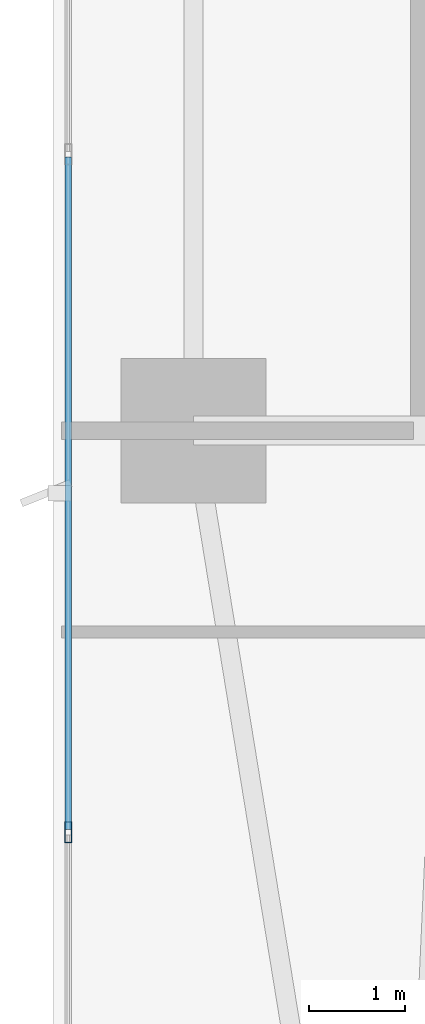
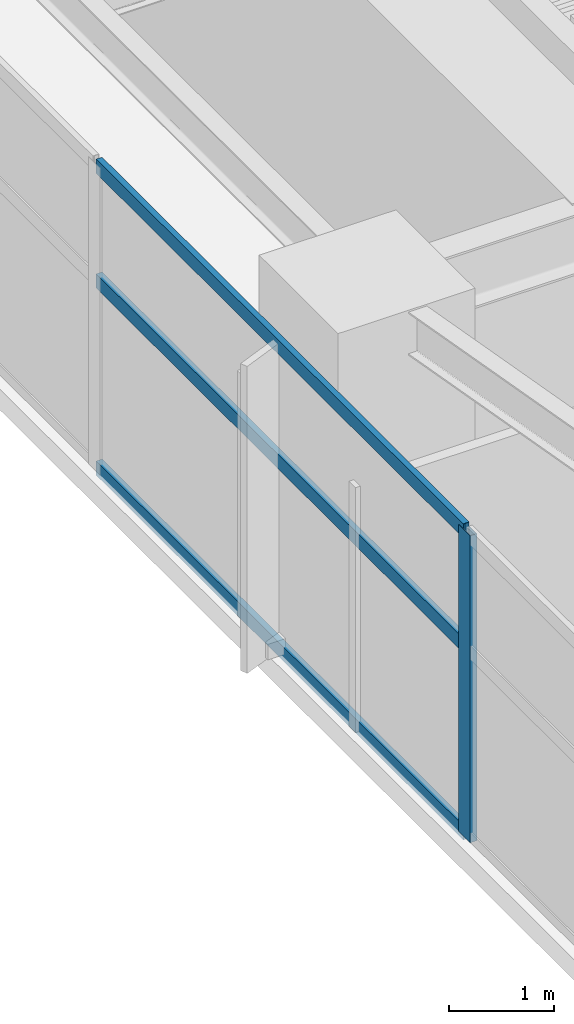
# One storey, part 4 of 29: 4 members, 1 element without a shape of its own.
"""IFC4 building model written with IfcOpenShell, lengths in metres."""

from ifc_helpers import new_model, si_unit, direction, frame, origin, origin_2d, place, context, subcontext, project, spatial, hollow_rectangle, extrude, material, layer, layer_set, material_profile, profile_set, type_object, element, aggregate, save


model = new_model("IFC4")

# Units and contexts
model_context = context("Model", 3, precision=1e-05, world=origin(), true_north=direction((0.0, 1.0)))
body_context = subcontext(model_context, "Body", "Model", "MODEL_VIEW")
ifc_project = project(units=[si_unit("LENGTHUNIT", "METRE"), si_unit("AREAUNIT", "SQUARE_METRE"), si_unit("VOLUMEUNIT", "CUBIC_METRE"), si_unit("PLANEANGLEUNIT", "RADIAN"), si_unit("MASSUNIT", "GRAM", prefix="KILO")], contexts=[model_context])

# Site, building, storey
site_placement = place(None, origin())
site = spatial("IfcSite", under=ifc_project, at=site_placement, CompositionType="ELEMENT")
building_placement = place(site_placement, origin())
building = spatial("IfcBuilding", under=site, at=building_placement, Name="Calvorn Quay Hotel", CompositionType="ELEMENT")
storey_placement = place(building_placement, frame((0.0, 0.0, 69.800048828125)))
storey = spatial("IfcBuildingStorey", under=building, at=storey_placement, Name="L16", CompositionType="ELEMENT", Elevation=69.800048828125)

# Curtain wall, members
ifc_material_1 = material(Name="Pale Anodised Aluminium and Low-E Glass", Category="aluminium")
ifc_layer = layer(ifc_material_1, 0.219970703125)
ifc_layer_set = layer_set([ifc_layer], Name="CW-SYS-Z1")
curtain_wall_type = type_object("IfcCurtainWallType", Name="CW-SYS-Z1", PredefinedType="NOTDEFINED", material=ifc_layer_set)
curtain_wall_placement = place(storey_placement, origin())
curtain_wall = element("IfcCurtainWall", 1, at=curtain_wall_placement, inside=storey, type_object=curtain_wall_type, Name="Tower West Curtain Wall (L16)", PredefinedType="NOTDEFINED")
ifc_material_2 = material(Name="Pale Anodised Aluminium 6063-T6", Category="aluminium")
ifc_material_profile_1 = material_profile(ifc_material_2, hollow_rectangle(XDim=0.074951171875, YDim=0.219970703125, WallThickness=0.00439453125, at=origin_2d()), Name="ALU-M220x75x4.5")
ifc_profile_set_1 = profile_set([ifc_material_profile_1], Name="Pale Anodised Aluminium 6063-T6")
member_type_1 = type_object("IfcMemberType", Name="CW-SYS-Z1-MUL", PredefinedType="MULLION", material=ifc_profile_set_1)
member_1_placement = place(storey_placement, frame((0.14990234375, 12.63330078125, 0.0), z_axis=(0.0, 0.0, 1.0), x_axis=(-1.0, 0.0, 0.0)))
member_1 = element("IfcMember", 2, at=member_1_placement, type_object=member_type_1, Name="CW-L16-W mullion 2", PredefinedType="MULLION", context=body_context, shape_type="SweptSolid", body=[
    extrude(hollow_rectangle(XDim=0.074951171875, YDim=0.219970703125, WallThickness=0.00439453125, at=origin_2d()), origin(), (0.0, 0.0, 1.0), 3.56005859375),
])
ifc_material_3 = material(Name="Pale Anodised Aluminium 6063-T6", Category="aluminium")
ifc_material_profile_2 = material_profile(ifc_material_3, hollow_rectangle(XDim=0.06494140625, YDim=0.1650390625, WallThickness=0.00341796875, at=origin_2d()), Name="ALU-T165x65x3.5")
ifc_profile_set_2 = profile_set([ifc_material_profile_2], Name="Pale Anodised Aluminium 6063-T6")
member_type_2 = type_object("IfcMemberType", Name="CW-SYS-Z1-TRN", PredefinedType="USERDEFINED", material=ifc_profile_set_2)
member_2_placement = place(storey_placement, frame((0.14990234375, 12.663330078125, 0.030029296875), z_axis=(0.0, 1.0, 0.0), x_axis=(-1.0, 0.0, 0.0)))
member_2 = element("IfcMember", 3, at=member_2_placement, type_object=member_type_2, Name="CW-L16-W transom 2.1", ObjectType="TRANSOM", PredefinedType="USERDEFINED", context=body_context, shape_type="SweptSolid", body=[
    extrude(hollow_rectangle(XDim=0.06494140625, YDim=0.1650390625, WallThickness=0.00341796875, at=origin_2d()), origin(), (0.0, 0.0, 1.0), 6.973388671875),
])
member_3_placement = place(storey_placement, frame((0.14990234375, 12.663330078125, 2.199951171875), z_axis=(0.0, 1.0, 0.0), x_axis=(-1.0, 0.0, 0.0)))
member_3 = element("IfcMember", 4, at=member_3_placement, type_object=member_type_2, Name="CW-L16-W transom 2.2", ObjectType="TRANSOM", PredefinedType="USERDEFINED", context=body_context, shape_type="SweptSolid", body=[
    extrude(hollow_rectangle(XDim=0.06494140625, YDim=0.1650390625, WallThickness=0.00341796875, at=origin_2d()), origin(), (0.0, 0.0, 1.0), 6.973388671875),
])
member_4_placement = place(storey_placement, frame((0.14990234375, 12.663330078125, 3.530029296875), z_axis=(0.0, 1.0, 0.0), x_axis=(-1.0, 0.0, 0.0)))
member_4 = element("IfcMember", 5, at=member_4_placement, type_object=member_type_2, Name="CW-L16-W transom 2.3", ObjectType="TRANSOM", PredefinedType="USERDEFINED", context=body_context, shape_type="SweptSolid", body=[
    extrude(hollow_rectangle(XDim=0.06494140625, YDim=0.1650390625, WallThickness=0.00341796875, at=origin_2d()), origin(), (0.0, 0.0, 1.0), 6.973388671875),
])
aggregate(curtain_wall, [member_1, member_2, member_3, member_4])

save(model, "model.ifc")
